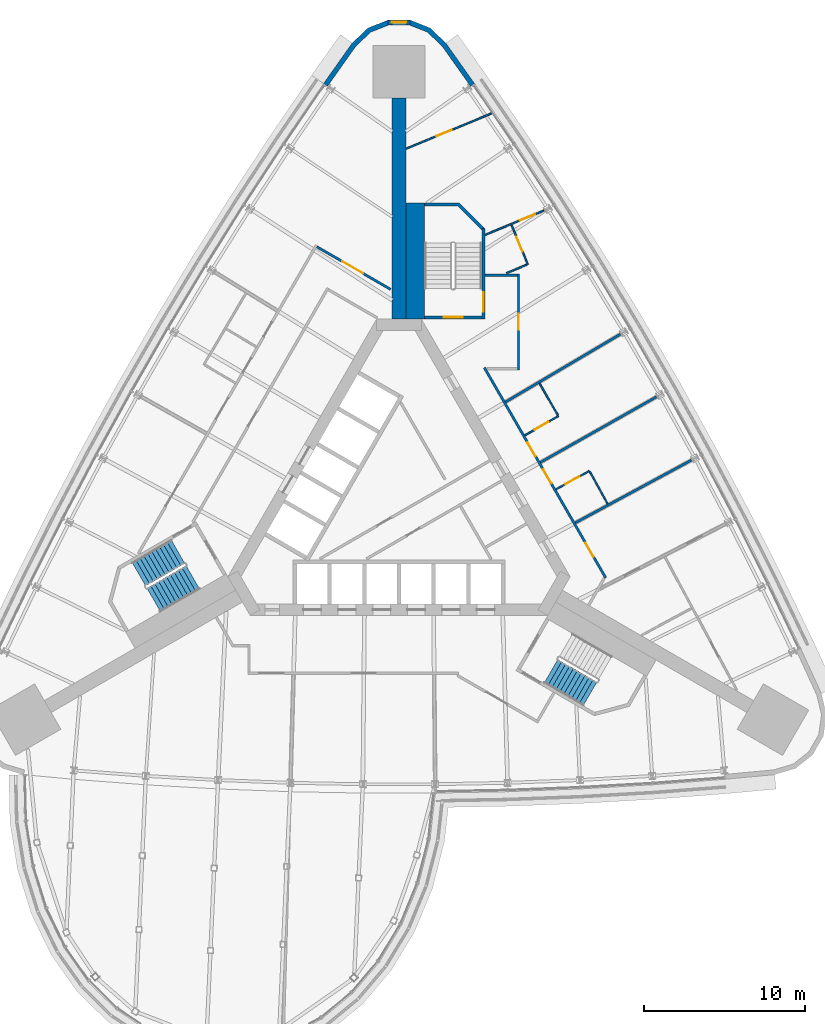
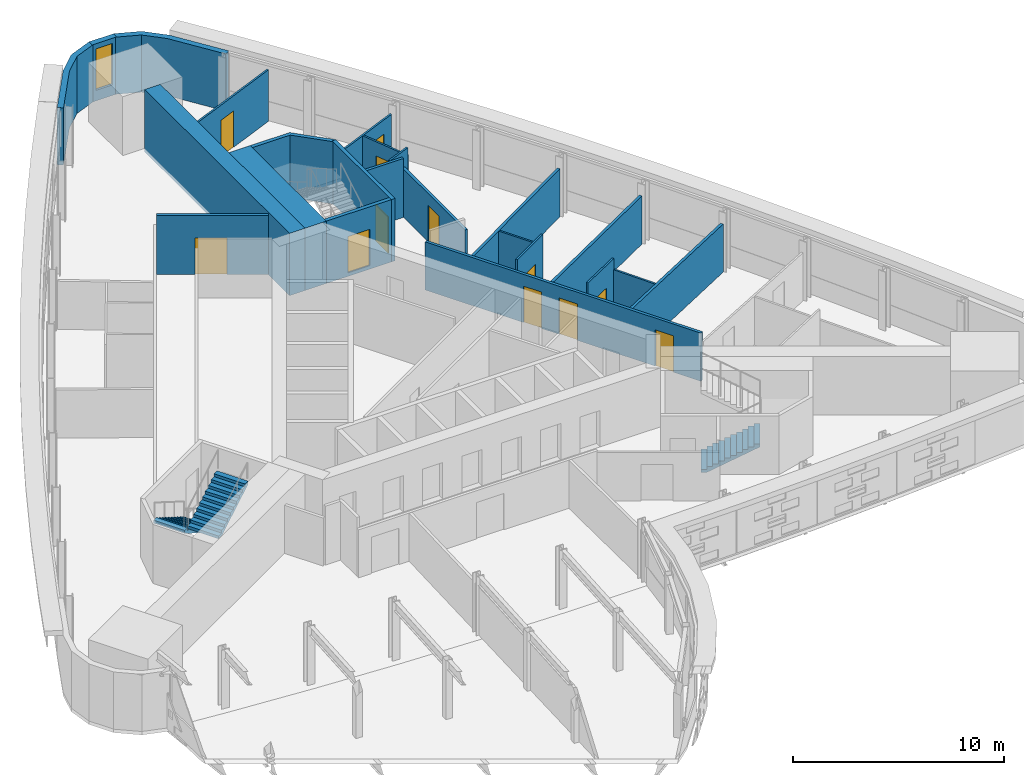
# One storey, part 12 of 16: 23 walls, 12 doors, 3 stair flights, 1 window, 13 openings, 2 elements without a shape of their own.
"""IFC4 building model written with IfcOpenShell, lengths in metres."""

from ifc_helpers import new_model, si_unit, direction, frame, frame_2d, origin, place, context, subcontext, project, spatial, polyline, rectangle, outline, extrude, material, layer, layer_set, type_object, element, fill, aggregate, save


model = new_model("IFC4")

# Units and contexts
model_context = context("Model", 3, precision=1e-05, world=origin(), true_north=direction((0.0, 1.0)))
body_context = subcontext(model_context, "Body", "Model", "MODEL_VIEW")
ifc_project = project(units=[si_unit("LENGTHUNIT", "METRE"), si_unit("AREAUNIT", "SQUARE_METRE"), si_unit("VOLUMEUNIT", "CUBIC_METRE"), si_unit("PLANEANGLEUNIT", "RADIAN"), si_unit("MASSUNIT", "GRAM", prefix="KILO")], contexts=[model_context])

# Site, building, storey
site_placement = place(None, origin())
site = spatial("IfcSite", under=ifc_project, at=site_placement, CompositionType="ELEMENT")
building_placement = place(site_placement, origin())
building = spatial("IfcBuilding", under=site, at=building_placement, Name="Noor Cloister Tower", CompositionType="ELEMENT")
storey_placement = place(building_placement, frame((0.0, 0.0, 65.39990234375)))
storey = spatial("IfcBuildingStorey", under=building, at=storey_placement, Name="L16", CompositionType="ELEMENT", Elevation=65.39990234375)

# Wall
ifc_material_1 = material(Name="Concrete C80/95", Category="concrete")
ifc_layer_1 = layer(ifc_material_1, 0.85009765625)
ifc_layer_set_1 = layer_set([ifc_layer_1], Name="Buttress wall 850 C80/95")
wall_type_1 = type_object("IfcWallType", Name="Buttress wall 850 C80/95", PredefinedType="SHEAR", material=ifc_layer_set_1)
wall_1_placement = place(storey_placement, frame((0.0, 11.456298828125, -0.199951171875), z_axis=(0.0, 0.0, 1.0), x_axis=(0.0, 1.0, 0.0)))
element("IfcWall", 1, at=wall_1_placement, inside=storey, type_object=wall_type_1, Name="Buttress wall N L16", PredefinedType="SHEAR", context=body_context, shape_type="SweptSolid", body=[
    extrude(rectangle(XDim=13.69873046875, YDim=0.85009765625, at=frame_2d((6.849365234375, 0.0))), origin(), (0.0, 0.0, 1.0), 3.60009765625),
])

# Wall, openings, doors
ifc_material_2 = material(Name="Gypsum board partition on steel studs, 150 mm", Category="steel")
ifc_layer_2 = layer(ifc_material_2, 0.14990234375)
ifc_layer_set_2 = layer_set([ifc_layer_2], Name="Flat wall 150")
wall_type_2 = type_object("IfcWallType", Name="Flat wall 150", PredefinedType="PARTITIONING", material=ifc_layer_set_2)
wall_2_placement = place(storey_placement, frame((5.28857421875, 8.4462890625, 0.0), z_axis=(0.0, 0.0, 1.0), x_axis=(0.499996620721, -0.866027354803, 0.0)))
wall_2 = element("IfcWall", 2, at=wall_2_placement, inside=storey, type_object=wall_type_2, Name="Flat wall 150 L16 003", PredefinedType="PARTITIONING", context=body_context, shape_type="SweptSolid", body=[
    extrude(rectangle(XDim=15.056640625, YDim=0.14990234375, at=frame_2d((7.5283203125, 0.0))), origin(), (0.0, 0.0, 1.0), 2.778076171875),
])
opening_1_placement = place(wall_2_placement, frame((12.562744140625, 0.0, 0.0)))
opening_1 = element("IfcOpeningElement", 3, at=opening_1_placement, cuts=wall_2, Name="Opening L16-006", PredefinedType="OPENING", context=body_context, shape_type="SweptSolid", body=[
    extrude(rectangle(XDim=1.0, YDim=2.10009765625, at=frame_2d((0.5, 1.050048828125))), frame((0.0, 0.0849609375, 0.0), z_axis=(0.0, -1.0, 0.0), x_axis=(1.0, 0.0, 0.0)), (0.0, 0.0, 1.0), 0.169921875),
])
opening_2_placement = place(wall_2_placement, frame((7.31201171875, 0.0, 0.0)))
opening_2 = element("IfcOpeningElement", 4, at=opening_2_placement, cuts=wall_2, Name="Opening L16-007", PredefinedType="OPENING", context=body_context, shape_type="SweptSolid", body=[
    extrude(rectangle(XDim=1.0, YDim=2.10009765625, at=frame_2d((0.5, 1.050048828125))), frame((0.0, 0.0849609375, 0.0), z_axis=(0.0, -1.0, 0.0), x_axis=(1.0, 0.0, 0.0)), (0.0, 0.0, 1.0), 0.169921875),
])
opening_3_placement = place(wall_2_placement, frame((5.35595703125, 0.0, 0.0)))
opening_3 = element("IfcOpeningElement", 5, at=opening_3_placement, cuts=wall_2, Name="Opening L16-008", PredefinedType="OPENING", context=body_context, shape_type="SweptSolid", body=[
    extrude(rectangle(XDim=1.0, YDim=2.10009765625, at=frame_2d((0.5, 1.050048828125))), frame((0.0, 0.0849609375, 0.0), z_axis=(0.0, -1.0, 0.0), x_axis=(1.0, 0.0, 0.0)), (0.0, 0.0, 1.0), 0.169921875),
])
ifc_material_3 = material(Name="Timber door leaf with steel frame", Category="steel")
door_type_1 = type_object("IfcDoorType", Name="Flat entrance door 1000 FD60S", OperationType="NOTDEFINED", PredefinedType="DOOR", material=ifc_material_3)
door_1_placement = place(opening_1_placement, origin())
door_1 = element("IfcDoor", 6, at=door_1_placement, inside=storey, type_object=door_type_1, Name="Flat entrance door 1000 L16-006", OperationType="SINGLE_SWING_RIGHT", OverallHeight=2.10009765625, OverallWidth=1.0, PredefinedType="DOOR", context=body_context, shape_type="SweptSolid", body=[
    extrude(rectangle(XDim=1.0, YDim=2.10009765625, at=frame_2d((0.5, 1.050048828125))), frame((0.0, 0.02490234375, 0.0), z_axis=(0.0, -1.0, 0.0), x_axis=(1.0, 0.0, 0.0)), (0.0, 0.0, 1.0), 0.050048828125),
])
fill(opening_1, door_1)
door_2_placement = place(opening_2_placement, origin())
door_2 = element("IfcDoor", 7, at=door_2_placement, inside=storey, type_object=door_type_1, Name="Flat entrance door 1000 L16-007", OperationType="SINGLE_SWING_RIGHT", OverallHeight=2.10009765625, OverallWidth=1.0, PredefinedType="DOOR", context=body_context, shape_type="SweptSolid", body=[
    extrude(rectangle(XDim=1.0, YDim=2.10009765625, at=frame_2d((0.5, 1.050048828125))), frame((0.0, 0.02490234375, 0.0), z_axis=(0.0, -1.0, 0.0), x_axis=(1.0, 0.0, 0.0)), (0.0, 0.0, 1.0), 0.050048828125),
])
fill(opening_2, door_2)
door_3_placement = place(opening_3_placement, origin())
door_3 = element("IfcDoor", 8, at=door_3_placement, inside=storey, type_object=door_type_1, Name="Flat entrance door 1000 L16-008", OperationType="SINGLE_SWING_LEFT", OverallHeight=2.10009765625, OverallWidth=1.0, PredefinedType="DOOR", context=body_context, shape_type="SweptSolid", body=[
    extrude(rectangle(XDim=1.0, YDim=2.10009765625, at=frame_2d((0.5, 1.050048828125))), frame((0.0, 0.02490234375, 0.0), z_axis=(0.0, -1.0, 0.0), x_axis=(1.0, 0.0, 0.0)), (0.0, 0.0, 1.0), 0.050048828125),
])
fill(opening_3, door_3)

# Wall, opening, door
wall_3_placement = place(storey_placement, frame((7.41064453125, 14.25634765625, 0.0), z_axis=(0.0, 0.0, 1.0), x_axis=(0.0, -1.0, 0.0)))
wall_3 = element("IfcWall", 9, at=wall_3_placement, inside=storey, type_object=wall_type_2, Name="Flat wall 150 L16 006", PredefinedType="PARTITIONING", context=body_context, shape_type="SweptSolid", body=[
    extrude(rectangle(XDim=5.949951171875, YDim=0.14990234375, at=frame_2d((2.97509765625, 0.0))), origin(), (0.0, 0.0, 1.0), 2.778076171875),
])
opening_4_placement = place(wall_3_placement, frame((2.47509765625, 0.0, 0.0)))
opening_4 = element("IfcOpeningElement", 10, at=opening_4_placement, cuts=wall_3, Name="Opening L16-012", PredefinedType="OPENING", context=body_context, shape_type="SweptSolid", body=[
    extrude(rectangle(XDim=1.0, YDim=2.10009765625, at=frame_2d((0.5, 1.050048828125))), frame((0.0, 0.0849609375, 0.0), z_axis=(0.0, -1.0, 0.0), x_axis=(1.0, 0.0, 0.0)), (0.0, 0.0, 1.0), 0.169921875),
])
door_4_placement = place(opening_4_placement, origin())
door_4 = element("IfcDoor", 11, at=door_4_placement, inside=storey, type_object=door_type_1, Name="Flat entrance door 1000 L16-012", OperationType="SINGLE_SWING_RIGHT", OverallHeight=2.10009765625, OverallWidth=1.0, PredefinedType="DOOR", context=body_context, shape_type="SweptSolid", body=[
    extrude(rectangle(XDim=1.0, YDim=2.10009765625, at=frame_2d((0.5, 1.050048828125))), frame((0.0, 0.02490234375, 0.0), z_axis=(0.0, -1.0, 0.0), x_axis=(1.0, 0.0, 0.0)), (0.0, 0.0, 1.0), 0.050048828125),
])
fill(opening_4, door_4)

wall_4_placement = place(storey_placement, frame((-5.093017578125, 15.93505859375, 0.0), z_axis=(0.0, 0.0, 1.0), x_axis=(0.866033195618, -0.499986503906, 0.0)))
wall_4 = element("IfcWall", 12, at=wall_4_placement, inside=storey, type_object=wall_type_2, Name="Flat wall 150 L16 007", PredefinedType="PARTITIONING", context=body_context, shape_type="SweptSolid", body=[
    extrude(rectangle(XDim=5.282470703125, YDim=0.14990234375, at=frame_2d((2.64111328125, 0.0))), origin(), (0.0, 0.0, 1.0), 3.400146484375),
])
opening_5_placement = place(wall_4_placement, frame((1.816162109375, 0.0, 0.0)))
opening_5 = element("IfcOpeningElement", 13, at=opening_5_placement, cuts=wall_4, Name="Opening L16-013", PredefinedType="OPENING", context=body_context, shape_type="SweptSolid", body=[
    extrude(rectangle(XDim=1.5, YDim=2.10009765625, at=frame_2d((0.75, 1.050048828125))), frame((0.0, 0.0849609375, 0.0), z_axis=(0.0, -1.0, 0.0), x_axis=(1.0, 0.0, 0.0)), (0.0, 0.0, 1.0), 0.169921875),
])
ifc_material_4 = material(Name="Timber door leaf with steel frame", Category="steel")
door_type_2 = type_object("IfcDoorType", Name="Double door 1500 FD60", OperationType="NOTDEFINED", PredefinedType="DOOR", material=ifc_material_4)
door_5_placement = place(opening_5_placement, origin())
door_5 = element("IfcDoor", 14, at=door_5_placement, inside=storey, type_object=door_type_2, Name="Double door 1500 L16-013", OperationType="DOUBLE_DOOR_SINGLE_SWING", OverallHeight=2.10009765625, OverallWidth=1.5, PredefinedType="DOOR", context=body_context, shape_type="SweptSolid", body=[
    extrude(rectangle(XDim=1.5, YDim=2.10009765625, at=frame_2d((0.75, 1.050048828125))), frame((0.0, 0.02490234375, 0.0), z_axis=(0.0, -1.0, 0.0), x_axis=(1.0, 0.0, 0.0)), (0.0, 0.0, 1.0), 0.050048828125),
])
fill(opening_5, door_5)

# Walls
wall_5_placement = place(storey_placement, frame((5.335693359375, 14.181396484375, 0.0), z_axis=(0.0, 0.0, 1.0), x_axis=(1.0, 0.0, 0.0)))
element("IfcWall", 15, at=wall_5_placement, inside=storey, type_object=wall_type_2, Name="Flat wall 150 L16 009", PredefinedType="PARTITIONING", context=body_context, shape_type="SweptSolid", body=[
    extrude(rectangle(XDim=2.0, YDim=0.14990234375, at=frame_2d((1.0, 0.0))), origin(), (0.0, 0.0, 1.0), 3.400146484375),
])
for number, where, z_axis, x_axis, name in (
    (16, (15.968505859375, 6.630126953125, 0.0), (0.0, 0.0, 1.0), (-0.870767403572, -0.491695158484, 0.0), "Flat wall 150 L16 017"),
    (17, (13.72607421875, 10.513916015625, 0.0), (0.0, 0.0, 1.0), (-0.861212761308, -0.508244606229, 0.0), "Flat wall 150 L16 018"),
):
    element("IfcWall", number, at=place(storey_placement, frame(where, z_axis=z_axis, x_axis=x_axis)), inside=storey, type_object=wall_type_2, Name=name, PredefinedType="PARTITIONING", context=body_context, shape_type="SweptSolid", body=[
        extrude(rectangle(XDim=8.265625, YDim=0.14990234375, at=frame_2d((4.1328125, 0.0))), origin(), (0.0, 0.0, 1.0), 2.778076171875),
    ])
wall_6_placement = place(storey_placement, frame((18.135986328125, 2.7041015625, 0.0), z_axis=(0.0, 0.0, 1.0), x_axis=(-0.879993465077, -0.474985790757, 0.0)))
element("IfcWall", 18, at=wall_6_placement, inside=storey, type_object=wall_type_2, Name="Flat wall 150 L16 019", PredefinedType="PARTITIONING", context=body_context, shape_type="SweptSolid", body=[
    extrude(rectangle(XDim=8.18115234375, YDim=0.14990234375, at=frame_2d((4.090576171875, 0.0))), origin(), (0.0, 0.0, 1.0), 2.778076171875),
])
ifc_material_5 = material(Name="Limestone", Category="masonry")
ifc_layer_3 = layer(ifc_material_5, 0.300048828125)
ifc_layer_set_3 = layer_set([ifc_layer_3], Name="Limestone cladding 300")
wall_type_3 = type_object("IfcWallType", Name="Limestone cladding 300", PredefinedType="NOTDEFINED", material=ifc_layer_set_3)
wall_7_placement = place(storey_placement, origin())
element("IfcWall", 19, at=wall_7_placement, inside=storey, type_object=wall_type_3, Name="Limestone pier cladding L16 3.1", PredefinedType="NOTDEFINED", context=body_context, shape_type="SweptSolid", body=[
    extrude(outline(polyline([(4.683837890625, 26.05810546875), (2.90087890625, 28.576171875), (1.923828125, 29.502197265625), (0.673095703125, 30.000732421875), (0.56201171875, 29.721923828125), (1.75927734375, 29.244873046875), (2.673095703125, 28.378662109375), (4.43896484375, 25.884765625), (4.683837890625, 26.05810546875)])), origin(), (0.0, 0.0, 1.0), 3.300048828125),
])

# Wall, opening, window
wall_8_placement = place(storey_placement, frame((-0.671142578125, 29.8505859375, 0.0), z_axis=(0.0, 0.0, 1.0), x_axis=(1.0, 0.0, 0.0)))
wall_8 = element("IfcWall", 20, at=wall_8_placement, inside=storey, type_object=wall_type_3, Name="Limestone pier wall L16 3.2", PredefinedType="NOTDEFINED", context=body_context, shape_type="SweptSolid", body=[
    extrude(rectangle(XDim=1.34228515625, YDim=0.300048828125, at=frame_2d((0.671142578125, 0.0))), origin(), (0.0, 0.0, 1.0), 3.300048828125),
])
opening_6_placement = place(wall_8_placement, frame((0.22119140625, 0.0, 0.60009765625)))
opening_6 = element("IfcOpeningElement", 21, at=opening_6_placement, cuts=wall_8, Name="Opening L16-C01", PredefinedType="OPENING", context=body_context, shape_type="SweptSolid", body=[
    extrude(rectangle(XDim=0.89990234375, YDim=2.39990234375, at=frame_2d((0.449951171875, 1.199951171875))), frame((0.0, 0.16015625, 0.0), z_axis=(0.0, -1.0, 0.0), x_axis=(1.0, 0.0, 0.0)), (0.0, 0.0, 1.0), 0.320068359375),
])
ifc_material_6 = material(Name="Aluminium 6063-T6 anodised", Category="aluminium")
window_type = type_object("IfcWindowType", Name="Corner lancet window 900 x 2400", PartitioningType="SINGLE_PANEL", PredefinedType="WINDOW", material=ifc_material_6)
window_placement = place(opening_6_placement, origin())
window = element("IfcWindow", 22, at=window_placement, inside=storey, type_object=window_type, Name="Corner window L16 1", OverallHeight=2.39990234375, OverallWidth=0.89990234375, PartitioningType="SINGLE_PANEL", PredefinedType="WINDOW", context=body_context, shape_type="SweptSolid", body=[
    extrude(rectangle(XDim=0.89990234375, YDim=2.39990234375, at=frame_2d((0.449951171875, 1.199951171875))), frame((0.0, 0.030029296875, 0.0), z_axis=(0.0, -1.0, 0.0), x_axis=(1.0, 0.0, 0.0)), (0.0, 0.0, 1.0), 0.06005859375),
])
fill(opening_6, window)

# Wall
wall_9_placement = place(storey_placement, origin())
element("IfcWall", 23, at=wall_9_placement, inside=storey, type_object=wall_type_3, Name="Limestone pier cladding L16 3.3", PredefinedType="NOTDEFINED", context=body_context, shape_type="SweptSolid", body=[
    extrude(outline(polyline([(-0.673095703125, 30.000732421875), (-1.923828125, 29.502197265625), (-2.90087890625, 28.576171875), (-4.683837890625, 26.05810546875), (-4.43896484375, 25.884765625), (-2.673095703125, 28.378662109375), (-1.75927734375, 29.244873046875), (-0.56201171875, 29.721923828125), (-0.673095703125, 30.000732421875)])), origin(), (0.0, 0.0, 1.0), 3.300048828125),
])

# Wall, opening, door
ifc_material_7 = material(Name="Gypsum board partition on steel studs, 100 mm", Category="steel")
ifc_layer_4 = layer(ifc_material_7, 0.10009765625)
ifc_layer_set_4 = layer_set([ifc_layer_4], Name="Partition 100")
wall_type_4 = type_object("IfcWallType", Name="Partition 100", PredefinedType="PARTITIONING", material=ifc_layer_set_4)
wall_10_placement = place(storey_placement, frame((0.444091796875, 22.017578125, 0.0), z_axis=(0.0, 0.0, 1.0), x_axis=(0.924087236974, 0.382181604032, 0.0)))
wall_10 = element("IfcWall", 24, at=wall_10_placement, inside=storey, type_object=wall_type_4, Name="Partition 100 L16 026", PredefinedType="PARTITIONING", context=body_context, shape_type="SweptSolid", body=[
    extrude(rectangle(XDim=5.744140625, YDim=0.10009765625, at=frame_2d((2.8720703125, 0.0))), origin(), (0.0, 0.0, 1.0), 2.97412109375),
])
opening_7_placement = place(wall_10_placement, frame((2.03466796875, 0.0, 0.0)))
opening_7 = element("IfcOpeningElement", 25, at=opening_7_placement, cuts=wall_10, Name="Opening L16-017", PredefinedType="OPENING", context=body_context, shape_type="SweptSolid", body=[
    extrude(rectangle(XDim=1.0, YDim=2.10009765625, at=frame_2d((0.5, 1.050048828125))), frame((0.0, 0.06005859375, 0.0), z_axis=(0.0, -1.0, 0.0), x_axis=(1.0, 0.0, 0.0)), (0.0, 0.0, 1.0), 0.1201171875),
])
ifc_material_8 = material(Name="Timber door leaf with steel frame", Category="steel")
door_type_3 = type_object("IfcDoorType", Name="Interior door 1000", OperationType="NOTDEFINED", PredefinedType="DOOR", material=ifc_material_8)
door_6_placement = place(opening_7_placement, origin())
door_6 = element("IfcDoor", 26, at=door_6_placement, inside=storey, type_object=door_type_3, Name="Interior door 1000 L16-017", OperationType="SINGLE_SWING_LEFT", OverallHeight=2.10009765625, OverallWidth=1.0, PredefinedType="DOOR", context=body_context, shape_type="SweptSolid", body=[
    extrude(rectangle(XDim=1.0, YDim=2.10009765625, at=frame_2d((0.5, 1.050048828125))), frame((0.0, 0.02490234375, 0.0), z_axis=(0.0, -1.0, 0.0), x_axis=(1.0, 0.0, 0.0)), (0.0, 0.0, 1.0), 0.050048828125),
])
fill(opening_7, door_6)

wall_11_placement = place(storey_placement, frame((5.354736328125, 16.681640625, 0.0), z_axis=(0.0, 0.0, 1.0), x_axis=(0.924098331332, 0.382154777583, 0.0)))
wall_11 = element("IfcWall", 27, at=wall_11_placement, inside=storey, type_object=wall_type_4, Name="Partition 100 L16 027", PredefinedType="PARTITIONING", context=body_context, shape_type="SweptSolid", body=[
    extrude(rectangle(XDim=3.9404296875, YDim=0.10009765625, at=frame_2d((1.97021484375, 0.0))), origin(), (0.0, 0.0, 1.0), 2.923095703125),
])
opening_8_placement = place(wall_11_placement, frame((2.330322265625, 0.0, 0.0)))
opening_8 = element("IfcOpeningElement", 28, at=opening_8_placement, cuts=wall_11, Name="Opening L16-018", PredefinedType="OPENING", context=body_context, shape_type="SweptSolid", body=[
    extrude(rectangle(XDim=1.0, YDim=2.10009765625, at=frame_2d((0.5, 1.050048828125))), frame((0.0, 0.06005859375, 0.0), z_axis=(0.0, -1.0, 0.0), x_axis=(1.0, 0.0, 0.0)), (0.0, 0.0, 1.0), 0.1201171875),
])
door_7_placement = place(opening_8_placement, origin())
door_7 = element("IfcDoor", 29, at=door_7_placement, inside=storey, type_object=door_type_3, Name="Interior door 1000 L16-018", OperationType="SINGLE_SWING_RIGHT", OverallHeight=2.10009765625, OverallWidth=1.0, PredefinedType="DOOR", context=body_context, shape_type="SweptSolid", body=[
    extrude(rectangle(XDim=1.0, YDim=2.10009765625, at=frame_2d((0.5, 1.050048828125))), frame((0.0, 0.02490234375, 0.0), z_axis=(0.0, -1.0, 0.0), x_axis=(1.0, 0.0, 0.0)), (0.0, 0.0, 1.0), 0.050048828125),
])
fill(opening_8, door_7)

wall_12_placement = place(storey_placement, frame((7.98779296875, 14.848876953125, 0.0), z_axis=(0.0, 0.0, 1.0), x_axis=(-0.382167332206, 0.92409313935, 0.0)))
wall_12 = element("IfcWall", 30, at=wall_12_placement, inside=storey, type_object=wall_type_4, Name="Partition 100 L16 029", PredefinedType="PARTITIONING", context=body_context, shape_type="SweptSolid", body=[
    extrude(rectangle(XDim=2.64990234375, YDim=0.10009765625, at=frame_2d((1.324951171875, 0.0))), origin(), (0.0, 0.0, 1.0), 2.923095703125),
])
opening_9_placement = place(wall_12_placement, frame((0.85009765625, 0.0, 0.0)))
opening_9 = element("IfcOpeningElement", 31, at=opening_9_placement, cuts=wall_12, Name="Opening L16-019", PredefinedType="OPENING", context=body_context, shape_type="SweptSolid", body=[
    extrude(rectangle(XDim=1.0, YDim=2.10009765625, at=frame_2d((0.5, 1.050048828125))), frame((0.0, 0.06005859375, 0.0), z_axis=(0.0, -1.0, 0.0), x_axis=(1.0, 0.0, 0.0)), (0.0, 0.0, 1.0), 0.1201171875),
])
door_8_placement = place(opening_9_placement, origin())
door_8 = element("IfcDoor", 32, at=door_8_placement, inside=storey, type_object=door_type_3, Name="Interior door 1000 L16-019", OperationType="SINGLE_SWING_RIGHT", OverallHeight=2.10009765625, OverallWidth=1.0, PredefinedType="DOOR", context=body_context, shape_type="SweptSolid", body=[
    extrude(rectangle(XDim=1.0, YDim=2.10009765625, at=frame_2d((0.5, 1.050048828125))), frame((0.0, 0.02490234375, 0.0), z_axis=(0.0, -1.0, 0.0), x_axis=(1.0, 0.0, 0.0)), (0.0, 0.0, 1.0), 0.050048828125),
])
fill(opening_9, door_8)

wall_13_placement = place(storey_placement, frame((7.80517578125, 4.237548828125, 0.0), z_axis=(0.0, 0.0, 1.0), x_axis=(0.866024647952, 0.500001309137, 0.0)))
wall_13 = element("IfcWall", 33, at=wall_13_placement, inside=storey, type_object=wall_type_4, Name="Partition 100 L16 030", PredefinedType="PARTITIONING", context=body_context, shape_type="SweptSolid", body=[
    extrude(rectangle(XDim=2.39990234375, YDim=0.10009765625, at=frame_2d((1.199951171875, 0.0))), origin(), (0.0, 0.0, 1.0), 3.400146484375),
])
opening_10_placement = place(wall_13_placement, frame((0.699951171875, 0.0, 0.0)))
opening_10 = element("IfcOpeningElement", 34, at=opening_10_placement, cuts=wall_13, Name="Opening L16-020", PredefinedType="OPENING", context=body_context, shape_type="SweptSolid", body=[
    extrude(rectangle(XDim=1.0, YDim=2.10009765625, at=frame_2d((0.5, 1.050048828125))), frame((0.0, 0.06005859375, 0.0), z_axis=(0.0, -1.0, 0.0), x_axis=(1.0, 0.0, 0.0)), (0.0, 0.0, 1.0), 0.1201171875),
])
door_9_placement = place(opening_10_placement, origin())
door_9 = element("IfcDoor", 35, at=door_9_placement, inside=storey, type_object=door_type_3, Name="Interior door 1000 L16-020", OperationType="SINGLE_SWING_LEFT", OverallHeight=2.10009765625, OverallWidth=1.0, PredefinedType="DOOR", context=body_context, shape_type="SweptSolid", body=[
    extrude(rectangle(XDim=1.0, YDim=2.10009765625, at=frame_2d((0.5, 1.050048828125))), frame((0.0, 0.02490234375, 0.0), z_axis=(0.0, -1.0, 0.0), x_axis=(1.0, 0.0, 0.0)), (0.0, 0.0, 1.0), 0.050048828125),
])
fill(opening_10, door_9)

wall_14_placement = place(storey_placement, frame((11.805908203125, 2.0361328125, 0.0), z_axis=(0.0, 0.0, 1.0), x_axis=(-0.875396838765, -0.483404979991, 0.0)))
wall_14 = element("IfcWall", 36, at=wall_14_placement, inside=storey, type_object=wall_type_4, Name="Partition 100 L16 031", PredefinedType="PARTITIONING", context=body_context, shape_type="SweptSolid", body=[
    extrude(rectangle(XDim=2.363525390625, YDim=0.10009765625, at=frame_2d((1.181640625, 0.0))), origin(), (0.0, 0.0, 1.0), 3.400146484375),
])
opening_11_placement = place(wall_14_placement, frame((0.699951171875, 0.0, 0.0)))
opening_11 = element("IfcOpeningElement", 37, at=opening_11_placement, cuts=wall_14, Name="Opening L16-021", PredefinedType="OPENING", context=body_context, shape_type="SweptSolid", body=[
    extrude(rectangle(XDim=1.0, YDim=2.10009765625, at=frame_2d((0.5, 1.050048828125))), frame((0.0, 0.06005859375, 0.0), z_axis=(0.0, -1.0, 0.0), x_axis=(1.0, 0.0, 0.0)), (0.0, 0.0, 1.0), 0.1201171875),
])
door_10_placement = place(opening_11_placement, origin())
door_10 = element("IfcDoor", 38, at=door_10_placement, inside=storey, type_object=door_type_3, Name="Interior door 1000 L16-021", OperationType="SINGLE_SWING_RIGHT", OverallHeight=2.10009765625, OverallWidth=1.0, PredefinedType="DOOR", context=body_context, shape_type="SweptSolid", body=[
    extrude(rectangle(XDim=1.0, YDim=2.10009765625, at=frame_2d((0.5, 1.050048828125))), frame((0.0, 0.02490234375, 0.0), z_axis=(0.0, -1.0, 0.0), x_axis=(1.0, 0.0, 0.0)), (0.0, 0.0, 1.0), 0.050048828125),
])
fill(opening_11, door_10)

# Walls
wall_15_placement = place(storey_placement, frame((12.938720703125, -0.015380859375, 0.0), z_axis=(0.0, 0.0, 1.0), x_axis=(-0.483372784024, 0.875414617004, 0.0)))
element("IfcWall", 39, at=wall_15_placement, inside=storey, type_object=wall_type_4, Name="Partition 100 L16 032", PredefinedType="PARTITIONING", context=body_context, shape_type="SweptSolid", body=[
    extrude(rectangle(XDim=2.29345703125, YDim=0.10009765625, at=frame_2d((1.146728515625, 0.0))), origin(), (0.0, 0.0, 1.0), 2.778076171875),
])
wall_16_placement = place(storey_placement, frame((8.7119140625, 7.467041015625, 0.0), z_axis=(0.0, 0.0, 1.0), x_axis=(0.499940558499, -0.866059719631, 0.0)))
element("IfcWall", 40, at=wall_16_placement, inside=storey, type_object=wall_type_4, Name="Partition 100 L16 033", PredefinedType="PARTITIONING", context=body_context, shape_type="SweptSolid", body=[
    extrude(rectangle(XDim=2.293212890625, YDim=0.10009765625, at=frame_2d((1.146484375, 0.0))), origin(), (0.0, 0.0, 1.0), 2.778076171875),
])
wall_17_placement = place(storey_placement, frame((6.6669921875, 14.302490234375, 0.0), z_axis=(0.0, 0.0, 1.0), x_axis=(0.924079363502, 0.382200640958, 0.0)))
element("IfcWall", 41, at=wall_17_placement, inside=storey, type_object=wall_type_4, Name="Partition 100 L16 036", PredefinedType="PARTITIONING", context=body_context, shape_type="SweptSolid", body=[
    extrude(rectangle(XDim=1.379150390625, YDim=0.10009765625, at=frame_2d((0.689453125, 0.0))), origin(), (0.0, 0.0, 1.0), 3.400146484375),
])
ifc_material_9 = material(Name="Concrete C80/95", Category="concrete")
ifc_layer_5 = layer(ifc_material_9, 1.160888671875)
ifc_layer_set_5 = layer_set([ifc_layer_5], Name="Stair enclosure wall 1161 C80/95")
wall_type_5 = type_object("IfcWallType", Name="Stair enclosure wall 1161 C80/95", PredefinedType="SHEAR", material=ifc_layer_set_5)
wall_18_placement = place(storey_placement, frame((1.00537109375, 11.456298828125, -0.199951171875), z_axis=(0.0, 0.0, 1.0), x_axis=(0.0, 1.0, 0.0)))
element("IfcWall", 42, at=wall_18_placement, inside=storey, type_object=wall_type_5, Name="Stair enclosure wall ST1 L16 riser side", PredefinedType="SHEAR", context=body_context, shape_type="SweptSolid", body=[
    extrude(rectangle(XDim=7.2001953125, YDim=1.16064453125, at=frame_2d((3.60009765625, 0.0))), origin(), (0.0, 0.0, 1.0), 3.60009765625),
])

# Wall, opening, door
ifc_material_10 = material(Name="Concrete C80/95", Category="concrete")
ifc_layer_6 = layer(ifc_material_10, 0.199951171875)
ifc_layer_set_6 = layer_set([ifc_layer_6], Name="Stair enclosure wall 200 C80/95")
wall_type_6 = type_object("IfcWallType", Name="Stair enclosure wall 200 C80/95", PredefinedType="SHEAR", material=ifc_layer_set_6)
wall_19_placement = place(storey_placement, frame((5.135498046875, 11.556396484375, -0.199951171875), z_axis=(0.0, 0.0, 1.0), x_axis=(-1.0, 0.0, 0.0)))
wall_19 = element("IfcWall", 43, at=wall_19_placement, inside=storey, type_object=wall_type_6, Name="Stair enclosure wall ST1 L16 near end", PredefinedType="SHEAR", context=body_context, shape_type="SweptSolid", body=[
    extrude(rectangle(XDim=3.5498046875, YDim=0.199951171875, at=frame_2d((1.77490234375, 0.0))), origin(), (0.0, 0.0, 1.0), 3.60009765625),
])
opening_12_placement = place(wall_19_placement, frame((1.175048828125, 0.0, 0.199951171875)))
opening_12 = element("IfcOpeningElement", 44, at=opening_12_placement, cuts=wall_19, Name="Opening L16-ST1L", PredefinedType="OPENING", context=body_context, shape_type="SweptSolid", body=[
    extrude(rectangle(XDim=1.199951171875, YDim=2.10009765625, at=frame_2d((0.60009765625, 1.050048828125))), frame((0.0, 0.10986328125, 0.0), z_axis=(0.0, -1.0, 0.0), x_axis=(1.0, 0.0, 0.0)), (0.0, 0.0, 1.0), 0.219970703125),
])
ifc_material_11 = material(Name="Steel", Category="steel")
door_type_4 = type_object("IfcDoorType", Name="Stair door 1200 x 2100 FD120", OperationType="SINGLE_SWING_LEFT", PredefinedType="DOOR", material=ifc_material_11)
door_11_placement = place(opening_12_placement, origin())
door_11 = element("IfcDoor", 45, at=door_11_placement, inside=storey, type_object=door_type_4, Name="Stair door ST1 L16", OperationType="SINGLE_SWING_RIGHT", OverallHeight=2.10009765625, OverallWidth=1.199951171875, PredefinedType="DOOR", context=body_context, shape_type="SweptSolid", body=[
    extrude(rectangle(XDim=1.199951171875, YDim=2.10009765625, at=frame_2d((0.60009765625, 1.050048828125))), frame((0.0, 0.02490234375, 0.0), z_axis=(0.0, -1.0, 0.0), x_axis=(1.0, 0.0, 0.0)), (0.0, 0.0, 1.0), 0.050048828125),
])
fill(opening_12, door_11)

wall_20_placement = place(storey_placement, frame((5.235595703125, 11.456298828125, -0.199951171875), z_axis=(0.0, 0.0, 1.0), x_axis=(0.0, 1.0, 0.0)))
wall_20 = element("IfcWall", 46, at=wall_20_placement, inside=storey, type_object=wall_type_6, Name="Stair enclosure wall ST1 L16 outer side", PredefinedType="SHEAR", context=body_context, shape_type="SweptSolid", body=[
    extrude(rectangle(XDim=5.60009765625, YDim=0.199951171875, at=frame_2d((2.800048828125, 0.0))), origin(), (0.0, 0.0, 1.0), 3.60009765625),
])
opening_13_placement = place(wall_20_placement, frame((0.449951171875, 0.0, 0.199951171875)))
opening_13 = element("IfcOpeningElement", 47, at=opening_13_placement, cuts=wall_20, Name="Opening L16-ST1C", PredefinedType="OPENING", context=body_context, shape_type="SweptSolid", body=[
    extrude(rectangle(XDim=1.199951171875, YDim=2.10009765625, at=frame_2d((0.60009765625, 1.050048828125))), frame((0.0, 0.10986328125, 0.0), z_axis=(0.0, -1.0, 0.0), x_axis=(1.0, 0.0, 0.0)), (0.0, 0.0, 1.0), 0.219970703125),
])
door_12_placement = place(opening_13_placement, origin())
door_12 = element("IfcDoor", 48, at=door_12_placement, inside=storey, type_object=door_type_4, Name="Stair door ST1 L16", OperationType="SINGLE_SWING_LEFT", OverallHeight=2.10009765625, OverallWidth=1.199951171875, PredefinedType="DOOR", context=body_context, shape_type="SweptSolid", body=[
    extrude(rectangle(XDim=1.199951171875, YDim=2.10009765625, at=frame_2d((0.60009765625, 1.050048828125))), frame((0.0, 0.02490234375, 0.0), z_axis=(0.0, -1.0, 0.0), x_axis=(1.0, 0.0, 0.0)), (0.0, 0.0, 1.0), 0.050048828125),
])
fill(opening_13, door_12)

# Wall
ifc_material_12 = material(Name="Concrete C80/95", Category="concrete")
wall_type_7 = type_object("IfcWallType", Name="Stair far end wall C80/95", PredefinedType="SHEAR", material=ifc_material_12)
wall_21_placement = place(storey_placement, frame((0.0, 0.0, -0.199951171875)))
element("IfcWall", 49, at=wall_21_placement, inside=storey, type_object=wall_type_7, Name="Stair enclosure wall ST1 L16 far end", PredefinedType="SHEAR", context=body_context, shape_type="SweptSolid", body=[
    extrude(outline(polyline([(5.335693359375, 17.056396484375), (3.735595703125, 18.656494140625), (1.585693359375, 18.656494140625), (1.585693359375, 18.456298828125), (3.65283203125, 18.456298828125), (5.135498046875, 16.9736328125), (5.135498046875, 17.056396484375), (5.135498046875, 17.056396484375), (5.135498046875, 17.056396484375), (5.135498046875, 17.056396484375), (5.135498046875, 17.056396484375), (5.135498046875, 17.056396484375), (5.135498046875, 17.056396484375), (5.135498046875, 17.056396484375), (5.135498046875, 17.056396484375), (5.135498046875, 17.056396484375), (5.135498046875, 17.056396484375), (5.135498046875, 17.056396484375), (5.135498046875, 17.056396484375), (5.135498046875, 17.056396484375), (5.135498046875, 17.056396484375), (5.135498046875, 17.056396484375), (5.135498046875, 17.056396484375), (5.335693359375, 17.056396484375)])), origin(), (0.0, 0.0, 1.0), 3.60009765625),
])

# Stair, stair flights
ifc_material_13 = material(Name="Concrete C40/50", Category="concrete")
stair_type = type_object("IfcStairType", Name="Exit stair 22 risers", PredefinedType="HALF_TURN_STAIR", material=ifc_material_13)
stair_1_placement = place(storey_placement, origin())
stair_1 = element("IfcStair", 50, at=stair_1_placement, inside=storey, type_object=stair_type, Name="Exit stair ST2 L16", PredefinedType="HALF_TURN_STAIR")
ifc_material_14 = material(Name="Concrete C40/50", Category="concrete")
stair_flight_type = type_object("IfcStairFlightType", Name="Exit stair flight", PredefinedType="STRAIGHT", material=ifc_material_14)
stair_flight_1_placement = place(storey_placement, frame((-13.709716796875, -2.966796875, 0.0), z_axis=(0.0, 0.0, 1.0), x_axis=(-0.866025403784, -0.5, 0.0)))
stair_flight_1 = element("IfcStairFlight", 51, at=stair_flight_1_placement, type_object=stair_flight_type, Name="ST2 flight 1", NumberOfRisers=11, NumberOfTreads=10, PredefinedType="STRAIGHT", RiserHeight=0.163636364, TreadLength=0.28, context=body_context, shape_type="SweptSolid", body=[
    extrude(outline(polyline([(0.0, 0.0), (0.0, 0.16357421875), (0.280029296875, 0.16357421875), (0.280029296875, 0.327392578125), (0.56005859375, 0.327392578125), (0.56005859375, 0.490966796875), (0.840087890625, 0.490966796875), (0.840087890625, 0.654541015625), (1.1201171875, 0.654541015625), (1.1201171875, 0.818115234375), (1.39990234375, 0.818115234375), (1.39990234375, 0.98193359375), (1.679931640625, 0.98193359375), (1.679931640625, 1.1455078125), (1.9599609375, 1.1455078125), (1.9599609375, 1.30908203125), (2.239990234375, 1.30908203125), (2.239990234375, 1.47265625), (2.52001953125, 1.47265625), (2.52001953125, 1.636474609375), (2.800048828125, 1.636474609375), (2.800048828125, 1.800048828125), (2.800048828125, 1.462646484375), (0.297119140625, 0.0), (0.0, 0.0)])), frame((0.0, 0.85009765625, 0.0), z_axis=(0.0, -1.0, 0.0), x_axis=(1.0, 0.0, 0.0)), (0.0, 0.0, 1.0), 1.699951171875),
])
stair_flight_2_placement = place(storey_placement, frame((-15.209716796875, -5.968994140625, 1.800048828125), z_axis=(0.0, 0.0, 1.0), x_axis=(0.866025403784, 0.5, 0.0)))
stair_flight_2 = element("IfcStairFlight", 52, at=stair_flight_2_placement, type_object=stair_flight_type, Name="ST2 flight 2", NumberOfRisers=11, NumberOfTreads=10, PredefinedType="STRAIGHT", RiserHeight=0.163636364, TreadLength=0.28, context=body_context, shape_type="SweptSolid", body=[
    extrude(outline(polyline([(0.0, 0.0), (0.0, 0.16357421875), (0.280029296875, 0.16357421875), (0.280029296875, 0.327392578125), (0.56005859375, 0.327392578125), (0.56005859375, 0.490966796875), (0.840087890625, 0.490966796875), (0.840087890625, 0.654541015625), (1.1201171875, 0.654541015625), (1.1201171875, 0.818115234375), (1.39990234375, 0.818115234375), (1.39990234375, 0.98193359375), (1.679931640625, 0.98193359375), (1.679931640625, 1.1455078125), (1.9599609375, 1.1455078125), (1.9599609375, 1.30908203125), (2.239990234375, 1.30908203125), (2.239990234375, 1.47265625), (2.52001953125, 1.47265625), (2.52001953125, 1.636474609375), (2.800048828125, 1.636474609375), (2.800048828125, 1.800048828125), (2.800048828125, 1.462646484375), (0.297119140625, 0.0), (0.0, 0.0)])), frame((0.0, 0.85009765625, 0.0), z_axis=(0.0, -1.0, 0.0), x_axis=(1.0, 0.0, 0.0)), (0.0, 0.0, 1.0), 1.699951171875),
])
aggregate(stair_1, [stair_flight_1, stair_flight_2])

# Stair, stair flight
stair_2_placement = place(storey_placement, origin())
stair_2 = element("IfcStair", 53, at=stair_2_placement, inside=storey, type_object=stair_type, Name="Exit stair ST3 L16", PredefinedType="HALF_TURN_STAIR")
stair_flight_3_placement = place(storey_placement, frame((9.424072265625, -10.3896484375, 0.0), z_axis=(0.0, 0.0, 1.0), x_axis=(0.866025403784, -0.5, 0.0)))
stair_flight_3 = element("IfcStairFlight", 54, at=stair_flight_3_placement, type_object=stair_flight_type, Name="ST3 flight 1", NumberOfRisers=11, NumberOfTreads=10, PredefinedType="STRAIGHT", RiserHeight=0.163636364, TreadLength=0.28, context=body_context, shape_type="SweptSolid", body=[
    extrude(outline(polyline([(0.0, 0.0), (0.0, 0.16357421875), (0.280029296875, 0.16357421875), (0.280029296875, 0.327392578125), (0.56005859375, 0.327392578125), (0.56005859375, 0.490966796875), (0.840087890625, 0.490966796875), (0.840087890625, 0.654541015625), (1.1201171875, 0.654541015625), (1.1201171875, 0.818115234375), (1.39990234375, 0.818115234375), (1.39990234375, 0.98193359375), (1.679931640625, 0.98193359375), (1.679931640625, 1.1455078125), (1.9599609375, 1.1455078125), (1.9599609375, 1.30908203125), (2.239990234375, 1.30908203125), (2.239990234375, 1.47265625), (2.52001953125, 1.47265625), (2.52001953125, 1.636474609375), (2.800048828125, 1.636474609375), (2.800048828125, 1.800048828125), (2.800048828125, 1.462646484375), (0.297119140625, 0.0), (0.0, 0.0)])), frame((0.0, 0.85009765625, 0.0), z_axis=(0.0, -1.0, 0.0), x_axis=(1.0, 0.0, 0.0)), (0.0, 0.0, 1.0), 1.699951171875),
])
aggregate(stair_2, [stair_flight_3])

save(model, "model.ifc")
